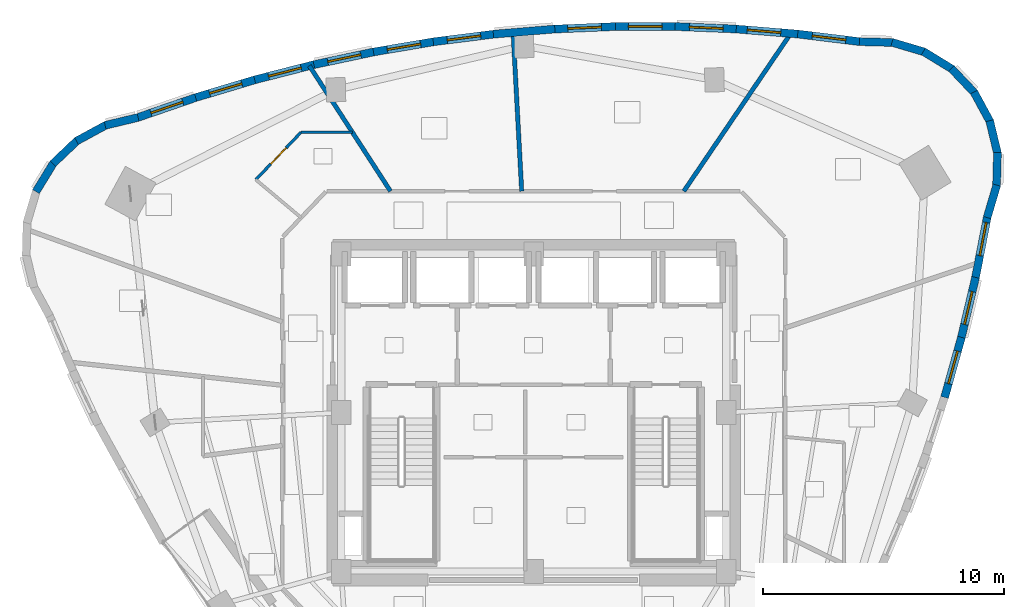
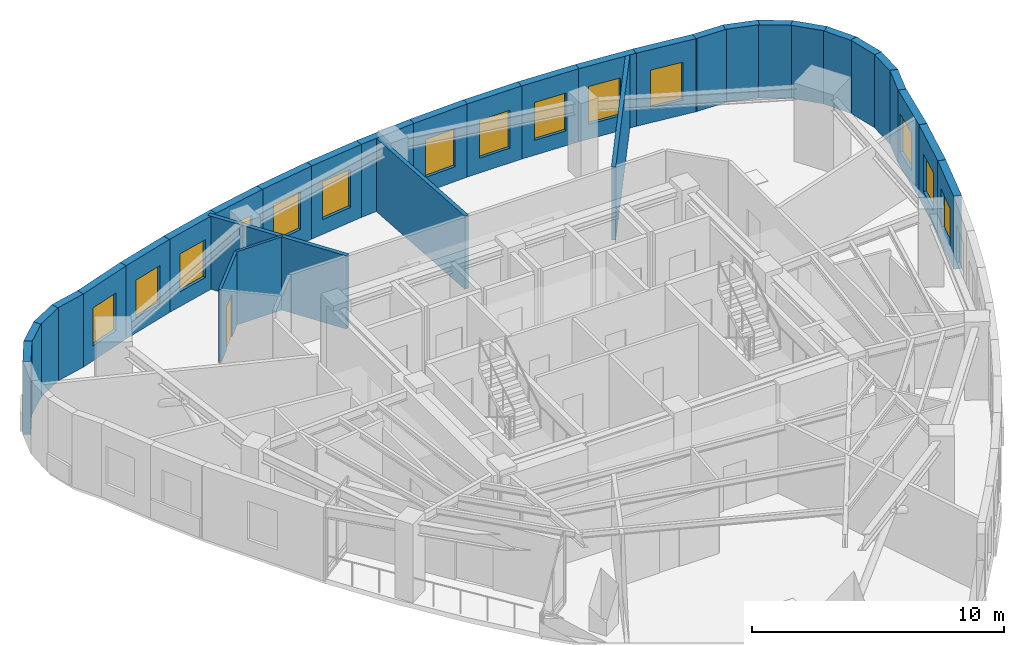
# One storey, part 9 of 13: 32 walls, 14 windows, 1 door, 15 openings.
"""IFC4 building model written with IfcOpenShell, lengths in metres."""

import ifcopenshell
import ifcopenshell.guid

model = None  # the IFC model being written
_history = None  # IfcOwnerHistory: only IFC2X3 demands one
_inside = {}  # id of a spatial element -> (the spatial element, [elements in it])
_under = {}  # id of a project, library or spatial element -> (it, [spatial elements below it])
_declared = {}  # id of a project -> (the project, [libraries it declares])
_typed = {}  # id of a type object -> (the type object, [elements of that type])
_made_of = {}  # id of a material, layer set ... -> (it, [elements and type objects made of it])


def new_model(schema):
    """Start an empty IFC model of exactly this schema.

    Asked for "IFC4X3", IfcOpenShell would pick the latest addendum, in which some entities
    have other attributes; the version numbers below select the first issue.
    IFC2X3 requires an IfcOwnerHistory on every rooted entity: one is made here for all.
    """
    global model, _history
    if schema == "IFC4X3":
        model = ifcopenshell.file(schema_version=(4, 3, 0, 0))
    else:
        model = ifcopenshell.file(schema=schema)
    _inside.clear()
    _under.clear()
    _declared.clear()
    _typed.clear()
    _made_of.clear()
    _history = None
    if model.schema == "IFC2X3":
        org = make("IfcOrganization", Name="unknown")
        user = make(
            "IfcPersonAndOrganization",
            ThePerson=make("IfcPerson", FamilyName="unknown"),
            TheOrganization=org,
        )
        app = make(
            "IfcApplication",
            ApplicationDeveloper=org,
            Version="unknown",
            ApplicationFullName="unknown",
            ApplicationIdentifier="unknown",
        )
        _history = make(
            "IfcOwnerHistory",
            OwningUser=user,
            OwningApplication=app,
            ChangeAction="ADDED",
            CreationDate=0,
        )
    return model


def make(cls, **values):
    """One entity of the class cls with the attributes given. An attribute that is None is left unset."""
    return model.create_entity(
        cls, **{name: value for name, value in values.items() if value is not None}
    )


def rooted(cls, **values):
    """An entity with a GlobalId (a new one), such as an element, a storey or a relation."""
    return make(cls, GlobalId=ifcopenshell.guid.new(), OwnerHistory=_history, **values)


def si_unit(unit_type, name, prefix=None):
    """IfcSIUnit, for example si_unit("LENGTHUNIT", "METRE", prefix="MILLI")."""
    return make("IfcSIUnit", UnitType=unit_type, Prefix=prefix, Name=name)


def assignment(units):
    """IfcUnitAssignment: the units of a project."""
    return None if units is None else make("IfcUnitAssignment", Units=units)


def point(xyz):
    """IfcCartesianPoint."""
    return None if xyz is None else make("IfcCartesianPoint", Coordinates=xyz)


def direction(xyz):
    """IfcDirection."""
    return None if xyz is None else make("IfcDirection", DirectionRatios=xyz)


def frame(location, z_axis=None, x_axis=None):
    """IfcAxis2Placement3D, a coordinate frame: its origin and axes. An axis left out is left unset."""
    return make(
        "IfcAxis2Placement3D",
        Location=point(location),
        Axis=direction(z_axis),
        RefDirection=direction(x_axis),
    )


def frame_2d(location, x_axis=None):
    """IfcAxis2Placement2D, a coordinate frame in the plane: its origin and x axis."""
    return make(
        "IfcAxis2Placement2D", Location=point(location), RefDirection=direction(x_axis)
    )


def origin():
    """The frame at (0, 0, 0) with its axes left unset."""
    return frame((0.0, 0.0, 0.0))


def place(relative_to, where):
    """IfcLocalPlacement: puts the frame where relative to a parent placement (None: the world)."""
    return make(
        "IfcLocalPlacement", PlacementRelTo=relative_to, RelativePlacement=where
    )


def context(
    kind, dimensions, precision=None, world=None, true_north=None, identifier=None
):
    """IfcGeometricRepresentationContext, for example the 3D "Model" context."""
    return make(
        "IfcGeometricRepresentationContext",
        ContextIdentifier=identifier,
        ContextType=kind,
        CoordinateSpaceDimension=dimensions,
        Precision=precision,
        WorldCoordinateSystem=world,
        TrueNorth=true_north,
    )


def subcontext(parent, identifier, kind, view, scale=None):
    """IfcGeometricRepresentationSubContext, for example "Body" below "Model"."""
    return make(
        "IfcGeometricRepresentationSubContext",
        ContextIdentifier=identifier,
        ContextType=kind,
        ParentContext=parent,
        TargetScale=scale,
        TargetView=view,
    )


def project(units=None, contexts=None):
    """IfcProject with its units and contexts."""
    return rooted(
        "IfcProject",
        Name="project",
        RepresentationContexts=contexts,
        UnitsInContext=assignment(units),
    )


def spatial(cls, under=None, at=None, **own):
    """A site, building, storey or space (cls), placed at a placement, below another one or the project."""
    s = rooted(cls, ObjectPlacement=at, **own)
    if under is not None:
        _under.setdefault(under.id(), (under, []))[1].append(s)
    return s


def profile(cls, at=None, kind="AREA", **sizes):
    """A parametric profile (cls). Its sizes go by their IFC names, for example OverallWidth=200.0."""
    return make(cls, ProfileType=kind, Position=at, **sizes)


def rectangle(**sizes):
    """IfcRectangleProfileDef."""
    return profile("IfcRectangleProfileDef", **sizes)


def extrude(swept, where, along, depth):
    """IfcExtrudedAreaSolid: the profile swept, set in the frame where, extruded along a direction by depth."""
    return make(
        "IfcExtrudedAreaSolid",
        SweptArea=swept,
        Position=where,
        ExtrudedDirection=direction(along),
        Depth=depth,
    )


def shape(context_of_items, identifier, shape_type, items):
    """IfcShapeRepresentation: the items that make up one representation, for example the "Body"."""
    return make(
        "IfcShapeRepresentation",
        ContextOfItems=context_of_items,
        RepresentationIdentifier=identifier,
        RepresentationType=shape_type,
        Items=items,
    )


def material(Name=None, Category=None):
    """IfcMaterial."""
    return make("IfcMaterial", Name=Name, Category=Category)


def layer(
    of_material, thickness, ventilated=None, Name=None, Category=None, Priority=None
):
    """IfcMaterialLayer: one layer of a wall or slab, of a material (None: an air gap)."""
    return make(
        "IfcMaterialLayer",
        Material=of_material,
        LayerThickness=thickness,
        IsVentilated=ventilated,
        Name=Name,
        Category=Category,
        Priority=Priority,
    )


def layer_set(layers, Name=None):
    """IfcMaterialLayerSet."""
    return make("IfcMaterialLayerSet", MaterialLayers=layers, LayerSetName=Name)


def made_of(thing, what):
    """Note that an element or type object is made of a material, layer set ...; save() writes the relation."""
    if what is not None:
        _made_of.setdefault(what.id(), (what, []))[1].append(thing)
    return thing


def type_object(cls, material=None, **own):
    """A type object (cls), such as IfcWallType, which elements share."""
    return made_of(rooted(cls, **own), material)


def element(
    cls,
    number,
    at=None,
    inside=None,
    cuts=None,
    type_object=None,
    material=None,
    context=None,
    identifier="Body",
    shape_type=None,
    held_by="IfcProductDefinitionShape",
    body=None,
    shapes=None,
    **own,
):
    """One element of the class cls, such as IfcWall. Its Tag is "e" and its number.

    at: its placement. inside: the storey or other place that contains it. cuts: it is an
    opening in that element (IfcRelVoidsElement). A single representation is given by context,
    identifier, shape_type and body (its items); several are given by shapes. held_by: the class
    of the entity that holds the representations. save() writes the other relations.
    """
    e = rooted(cls, Tag="e%d" % number, ObjectPlacement=at, **own)
    if body is not None:
        shapes = [shape(context, identifier, shape_type, body)]
    if shapes is not None:
        e.Representation = make(held_by, Representations=shapes)
    if inside is not None:
        _inside.setdefault(inside.id(), (inside, []))[1].append(e)
    if cuts is not None:
        rooted(
            "IfcRelVoidsElement", RelatingBuildingElement=cuts, RelatedOpeningElement=e
        )
    if type_object is not None:
        _typed.setdefault(type_object.id(), (type_object, []))[1].append(e)
    return made_of(e, material)


def fill(opening, filler):
    """IfcRelFillsElement: the door or window that sits in an opening."""
    return rooted(
        "IfcRelFillsElement",
        RelatingOpeningElement=opening,
        RelatedBuildingElement=filler,
    )


def aggregate(whole, parts):
    """IfcRelAggregates: a whole, such as a stair, and the parts it consists of."""
    return rooted("IfcRelAggregates", RelatingObject=whole, RelatedObjects=parts)


def save(model, path):
    """Write the relations noted so far, then the file.

    IfcRelAggregates (storeys below a building ...), IfcRelContainedInSpatialStructure (elements
    in a storey), IfcRelDefinesByType, IfcRelAssociatesMaterial and IfcRelDeclares: one each for
    every whole, place, type object, material and project.
    """
    for whole, parts in _under.values():
        aggregate(whole, parts)
    for where, things in _inside.values():
        rooted(
            "IfcRelContainedInSpatialStructure",
            RelatedElements=things,
            RelatingStructure=where,
        )
    for kind, things in _typed.values():
        rooted("IfcRelDefinesByType", RelatedObjects=things, RelatingType=kind)
    for what, things in _made_of.values():
        rooted("IfcRelAssociatesMaterial", RelatedObjects=things, RelatingMaterial=what)
    for by, libraries in _declared.values():
        rooted("IfcRelDeclares", RelatingContext=by, RelatedDefinitions=libraries)
    model.write(path)


model = new_model("IFC4")

# Units and contexts
model_context = context("Model", 3, precision=1e-05, world=origin(), true_north=direction((0.0, 1.0)))
body_context = subcontext(model_context, "Body", "Model", "MODEL_VIEW")
ifc_project = project(units=[si_unit("LENGTHUNIT", "METRE"), si_unit("AREAUNIT", "SQUARE_METRE"), si_unit("VOLUMEUNIT", "CUBIC_METRE"), si_unit("PLANEANGLEUNIT", "RADIAN"), si_unit("MASSUNIT", "GRAM", prefix="KILO")], contexts=[model_context])

# Site, building, storey
site_placement = place(None, origin())
site = spatial("IfcSite", under=ifc_project, at=site_placement, CompositionType="ELEMENT")
building_placement = place(site_placement, origin())
building = spatial("IfcBuilding", under=site, at=building_placement, Name="Ndelora Gate Hotel", CompositionType="ELEMENT")
storey_placement = place(building_placement, frame((0.0, 0.0, 235.949951171875)))
storey = spatial("IfcBuildingStorey", under=building, at=storey_placement, Name="L59", CompositionType="ELEMENT", Elevation=235.949951171875)

# Walls
ifc_material_1 = material(Name="Acoustic Double-Stud Gypsum Assembly", Category="gypsum")
ifc_layer_1 = layer(ifc_material_1, 0.179931640625)
ifc_layer_set_1 = layer_set([ifc_layer_1], Name="Acoustic Double-Stud Gypsum Assembly")
wall_type_1 = type_object("IfcWallType", Name="WL-ACOUST-180", PredefinedType="PARTITIONING", material=ifc_layer_set_1)
wall_1_placement = place(storey_placement, frame((6.23779296875, 9.199951171875, 0.0), z_axis=(0.0, 0.0, 1.0), x_axis=(0.561184790161, 0.827690540777, 0.0)))
element("IfcWall", 1, at=wall_1_placement, inside=storey, type_object=wall_type_1, Name="L59 Interior Wall IW-3", PredefinedType="PARTITIONING", context=body_context, shape_type="SweptSolid", body=[
    extrude(rectangle(XDim=7.92041015625, YDim=0.179931640625, at=frame_2d((3.960205078125, 0.0))), origin(), (0.0, 0.0, 1.0), 3.550048828125),
])
wall_2_placement = place(storey_placement, frame((-0.498779296875, 9.199951171875, 0.0), z_axis=(0.0, 0.0, 1.0), x_axis=(-0.054120704993, 0.998534400655, 0.0)))
element("IfcWall", 2, at=wall_2_placement, inside=storey, type_object=wall_type_1, Name="L59 Interior Wall IW-3", PredefinedType="PARTITIONING", context=body_context, shape_type="SweptSolid", body=[
    extrude(rectangle(XDim=6.604248046875, YDim=0.179931640625, at=frame_2d((3.30224609375, 0.0))), origin(), (0.0, 0.0, 1.0), 3.550048828125),
])
wall_3_placement = place(storey_placement, frame((-5.950927734375, 9.199951171875, 0.0), z_axis=(0.0, 0.0, 1.0), x_axis=(-0.543119167899, 0.839655625516, 0.0)))
element("IfcWall", 3, at=wall_3_placement, inside=storey, type_object=wall_type_1, Name="L59 Interior Wall IW-3", PredefinedType="PARTITIONING", context=body_context, shape_type="SweptSolid", body=[
    extrude(rectangle(XDim=6.20703125, YDim=0.179931640625, at=frame_2d((3.103515625, 0.0))), origin(), (0.0, 0.0, 1.0), 3.550048828125),
])
ifc_material_2 = material(Name="Clay Brick Masonry", Category="masonry")
ifc_layer_2 = layer(ifc_material_2, 0.330078125)
ifc_layer_set_2 = layer_set([ifc_layer_2], Name="Clay Brick Masonry")
wall_type_2 = type_object("IfcWallType", Name="WL-BRICK-330", PredefinedType="SOLIDWALL", material=ifc_layer_set_2)
wall_4_placement = place(storey_placement, frame((-17.809326171875, 11.9375, 0.0), z_axis=(0.0, 0.0, 1.0), x_axis=(0.972355799013, 0.23350417582, 0.0)))
element("IfcWall", 4, at=wall_4_placement, inside=storey, type_object=wall_type_2, Name="L59 Tower Brick Pier-and-Spandrel Wall TWR-1", PredefinedType="SOLIDWALL", context=body_context, shape_type="SweptSolid", body=[
    extrude(rectangle(XDim=1.4072265625, YDim=0.330078125, at=frame_2d((0.70361328125, 0.0))), origin(), (0.0, 0.0, 1.0), 3.550048828125),
])
wall_5_placement = place(storey_placement, frame((-19.0, 11.28369140625, 0.0), z_axis=(0.0, 0.0, 1.0), x_axis=(0.8789012206, 0.47700382014, 0.0)))
element("IfcWall", 5, at=wall_5_placement, inside=storey, type_object=wall_type_2, Name="L59 Tower Brick Pier-and-Spandrel Wall TWR-2", PredefinedType="SOLIDWALL", context=body_context, shape_type="SweptSolid", body=[
    extrude(rectangle(XDim=1.407470703125, YDim=0.330078125, at=frame_2d((0.70361328125, 0.0))), origin(), (0.0, 0.0, 1.0), 3.550048828125),
])
for number, where, z_axis, x_axis, name in (
    (6, (-19.980712890625, 10.343994140625, 0.0), (0.0, 0.0, 1.0), (0.725341527104, 0.688389184298, 0.0), "L59 Tower Brick Pier-and-Spandrel Wall TWR-3"),
    (7, (-20.68505859375, 9.1826171875, 0.0), (0.0, 0.0, 1.0), (0.522509174355, 0.852633662668, 0.0), "L59 Tower Brick Pier-and-Spandrel Wall TWR-4"),
):
    element("IfcWall", number, at=place(storey_placement, frame(where, z_axis=z_axis, x_axis=x_axis)), inside=storey, type_object=wall_type_2, Name=name, PredefinedType="SOLIDWALL", context=body_context, shape_type="SweptSolid", body=[
        extrude(rectangle(XDim=1.4072265625, YDim=0.330078125, at=frame_2d((0.70361328125, 0.0))), origin(), (0.0, 0.0, 1.0), 3.550048828125),
    ])

# Wall, opening, window
wall_6_placement = place(storey_placement, frame((17.77490234375, 3.127685546875, 0.0), z_axis=(0.0, 0.0, 1.0), x_axis=(-0.26969279574, -0.962946413839, 0.0)))
wall_6 = element("IfcWall", 8, at=wall_6_placement, inside=storey, type_object=wall_type_2, Name="L59 Tower Brick Pier-and-Spandrel Wall TWR-36", PredefinedType="SOLIDWALL", context=body_context, shape_type="SweptSolid", body=[
    extrude(rectangle(XDim=2.592529296875, YDim=0.330078125, at=frame_2d((1.29638671875, 0.0))), origin(), (0.0, 0.0, 1.0), 3.550048828125),
])
opening_1_placement = place(wall_6_placement, frame((0.59619140625, 0.0, 0.719970703125)))
opening_1 = element("IfcOpeningElement", 9, at=opening_1_placement, cuts=wall_6, Name="Opening W02", PredefinedType="OPENING", context=body_context, shape_type="SweptSolid", body=[
    extrude(rectangle(XDim=1.39990234375, YDim=1.840087890625, at=frame_2d((0.699951171875, 0.919921875))), frame((0.0, 0.175048828125, 0.0), z_axis=(0.0, -1.0, 0.0), x_axis=(1.0, 0.0, 0.0)), (0.0, 0.0, 1.0), 0.35009765625),
])
ifc_material_3 = material(Name="Insulated Low-E Double Glazing in Bronze Aluminium Frame", Category="aluminium")
window_type = type_object("IfcWindowType", Name="WN-DEEP-1400", PartitioningType="SINGLE_PANEL", PredefinedType="WINDOW", material=ifc_material_3)
window_1_placement = place(opening_1_placement, origin())
window_1 = element("IfcWindow", 10, at=window_1_placement, inside=storey, type_object=window_type, Name="L59 Deep-Set Brick-Pier Window W02", OverallHeight=1.840087890625, OverallWidth=1.39990234375, PartitioningType="SINGLE_PANEL", PredefinedType="WINDOW", context=body_context, shape_type="SweptSolid", body=[
    extrude(rectangle(XDim=1.39990234375, YDim=1.840087890625, at=frame_2d((0.699951171875, 0.919921875))), frame((0.0, 0.030029296875, 0.0), z_axis=(0.0, -1.0, 0.0), x_axis=(1.0, 0.0, 0.0)), (0.0, 0.0, 1.0), 0.06005859375),
])
fill(opening_1, window_1)

wall_7_placement = place(storey_placement, frame((18.36328125, 5.619140625, 0.0), z_axis=(0.0, 0.0, 1.0), x_axis=(-0.230212303812, -0.973140429318, 0.0)))
wall_7 = element("IfcWall", 11, at=wall_7_placement, inside=storey, type_object=wall_type_2, Name="L59 Tower Brick Pier-and-Spandrel Wall TWR-37", PredefinedType="SOLIDWALL", context=body_context, shape_type="SweptSolid", body=[
    extrude(rectangle(XDim=2.60986328125, YDim=0.330078125, at=frame_2d((1.304931640625, 0.0))), origin(), (0.0, 0.0, 1.0), 3.550048828125),
])
opening_2_placement = place(wall_7_placement, frame((0.60498046875, 0.0, 0.719970703125)))
opening_2 = element("IfcOpeningElement", 12, at=opening_2_placement, cuts=wall_7, Name="Opening W02", PredefinedType="OPENING", context=body_context, shape_type="SweptSolid", body=[
    extrude(rectangle(XDim=1.39990234375, YDim=1.840087890625, at=frame_2d((0.699951171875, 0.919921875))), frame((0.0, 0.175048828125, 0.0), z_axis=(0.0, -1.0, 0.0), x_axis=(1.0, 0.0, 0.0)), (0.0, 0.0, 1.0), 0.35009765625),
])
window_2_placement = place(opening_2_placement, origin())
window_2 = element("IfcWindow", 13, at=window_2_placement, inside=storey, type_object=window_type, Name="L59 Deep-Set Brick-Pier Window W02", OverallHeight=1.840087890625, OverallWidth=1.39990234375, PartitioningType="SINGLE_PANEL", PredefinedType="WINDOW", context=body_context, shape_type="SweptSolid", body=[
    extrude(rectangle(XDim=1.39990234375, YDim=1.840087890625, at=frame_2d((0.699951171875, 0.919921875))), frame((0.0, 0.030029296875, 0.0), z_axis=(0.0, -1.0, 0.0), x_axis=(1.0, 0.0, 0.0)), (0.0, 0.0, 1.0), 0.06005859375),
])
fill(opening_2, window_2)

wall_8_placement = place(storey_placement, frame((18.85498046875, 8.153564453125, 0.0), z_axis=(0.0, 0.0, 1.0), x_axis=(-0.190921803472, -0.981605249048, 0.0)))
wall_8 = element("IfcWall", 14, at=wall_8_placement, inside=storey, type_object=wall_type_2, Name="L59 Tower Brick Pier-and-Spandrel Wall TWR-38", PredefinedType="SOLIDWALL", context=body_context, shape_type="SweptSolid", body=[
    extrude(rectangle(XDim=2.631591796875, YDim=0.330078125, at=frame_2d((1.31591796875, 0.0))), origin(), (0.0, 0.0, 1.0), 3.550048828125),
])
opening_3_placement = place(wall_8_placement, frame((0.260009765625, 0.0, 0.719970703125)))
opening_3 = element("IfcOpeningElement", 15, at=opening_3_placement, cuts=wall_8, Name="Opening W02", PredefinedType="OPENING", context=body_context, shape_type="SweptSolid", body=[
    extrude(rectangle(XDim=1.39990234375, YDim=1.840087890625, at=frame_2d((0.699951171875, 0.919921875))), frame((0.0, 0.175048828125, 0.0), z_axis=(0.0, -1.0, 0.0), x_axis=(1.0, 0.0, 0.0)), (0.0, 0.0, 1.0), 0.35009765625),
])
window_3_placement = place(opening_3_placement, origin())
window_3 = element("IfcWindow", 16, at=window_3_placement, inside=storey, type_object=window_type, Name="L59 Deep-Set Brick-Pier Window W02", OverallHeight=1.840087890625, OverallWidth=1.39990234375, PartitioningType="SINGLE_PANEL", PredefinedType="WINDOW", context=body_context, shape_type="SweptSolid", body=[
    extrude(rectangle(XDim=1.39990234375, YDim=1.840087890625, at=frame_2d((0.699951171875, 0.919921875))), frame((0.0, 0.030029296875, 0.0), z_axis=(0.0, -1.0, 0.0), x_axis=(1.0, 0.0, 0.0)), (0.0, 0.0, 1.0), 0.06005859375),
])
fill(opening_3, window_3)

# Walls
wall_9_placement = place(storey_placement, frame((19.242919921875, 9.45458984375, 0.0), z_axis=(0.0, 0.0, 1.0), x_axis=(-0.284100140437, -0.958794613149, 0.0)))
element("IfcWall", 17, at=wall_9_placement, inside=storey, type_object=wall_type_2, Name="L59 Tower Brick Pier-and-Spandrel Wall TWR-39", PredefinedType="SOLIDWALL", context=body_context, shape_type="SweptSolid", body=[
    extrude(rectangle(XDim=1.40771484375, YDim=0.330078125, at=frame_2d((0.703857421875, 0.0))), origin(), (0.0, 0.0, 1.0), 3.550048828125),
])
for number, where, z_axis, x_axis, name in (
    (18, (19.27197265625, 10.8125, 0.0), (0.0, 0.0, 1.0), (-0.02619264168, -0.999656913907, 0.0), "L59 Tower Brick Pier-and-Spandrel Wall TWR-40"),
    (19, (18.948486328125, 12.1318359375, 0.0), (0.0, 0.0, 1.0), (0.233464793771, -0.972365255482, 0.0), "L59 Tower Brick Pier-and-Spandrel Wall TWR-41"),
):
    element("IfcWall", number, at=place(storey_placement, frame(where, z_axis=z_axis, x_axis=x_axis)), inside=storey, type_object=wall_type_2, Name=name, PredefinedType="SOLIDWALL", context=body_context, shape_type="SweptSolid", body=[
        extrude(rectangle(XDim=1.407470703125, YDim=0.330078125, at=frame_2d((0.70361328125, 0.0))), origin(), (0.0, 0.0, 1.0), 3.550048828125),
    ])
wall_10_placement = place(storey_placement, frame((18.294921875, 13.322509765625, 0.0), z_axis=(0.0, 0.0, 1.0), x_axis=(0.477076549129, -0.878861744685, 0.0)))
element("IfcWall", 20, at=wall_10_placement, inside=storey, type_object=wall_type_2, Name="L59 Tower Brick Pier-and-Spandrel Wall TWR-42", PredefinedType="SOLIDWALL", context=body_context, shape_type="SweptSolid", body=[
    extrude(rectangle(XDim=1.4072265625, YDim=0.330078125, at=frame_2d((0.70361328125, 0.0))), origin(), (0.0, 0.0, 1.0), 3.550048828125),
])
wall_11_placement = place(storey_placement, frame((17.35498046875, 14.30322265625, 0.0), z_axis=(0.0, 0.0, 1.0), x_axis=(0.688480442028, -0.725254907563, 0.0)))
element("IfcWall", 21, at=wall_11_placement, inside=storey, type_object=wall_type_2, Name="L59 Tower Brick Pier-and-Spandrel Wall TWR-43", PredefinedType="SOLIDWALL", context=body_context, shape_type="SweptSolid", body=[
    extrude(rectangle(XDim=1.407470703125, YDim=0.330078125, at=frame_2d((0.70361328125, 0.0))), origin(), (0.0, 0.0, 1.0), 3.550048828125),
])
wall_12_placement = place(storey_placement, frame((16.193603515625, 15.007568359375, 0.0), z_axis=(0.0, 0.0, 1.0), x_axis=(0.852633662668, -0.522509174355, 0.0)))
element("IfcWall", 22, at=wall_12_placement, inside=storey, type_object=wall_type_2, Name="L59 Tower Brick Pier-and-Spandrel Wall TWR-44", PredefinedType="SOLIDWALL", context=body_context, shape_type="SweptSolid", body=[
    extrude(rectangle(XDim=1.4072265625, YDim=0.330078125, at=frame_2d((0.70361328125, 0.0))), origin(), (0.0, 0.0, 1.0), 3.550048828125),
])
wall_13_placement = place(storey_placement, frame((14.88916015625, 15.38720703125, 0.0), z_axis=(0.0, 0.0, 1.0), x_axis=(0.958794613149, -0.284100140437, 0.0)))
element("IfcWall", 23, at=wall_13_placement, inside=storey, type_object=wall_type_2, Name="L59 Tower Brick Pier-and-Spandrel Wall TWR-45", PredefinedType="SOLIDWALL", context=body_context, shape_type="SweptSolid", body=[
    extrude(rectangle(XDim=1.40771484375, YDim=0.330078125, at=frame_2d((0.703857421875, 0.0))), origin(), (0.0, 0.0, 1.0), 3.550048828125),
])
wall_14_placement = place(storey_placement, frame((13.53125, 15.416259765625, 0.0), z_axis=(0.0, 0.0, 1.0), x_axis=(0.999656913907, -0.02619264168, 0.0)))
element("IfcWall", 24, at=wall_14_placement, inside=storey, type_object=wall_type_2, Name="L59 Tower Brick Pier-and-Spandrel Wall TWR-46", PredefinedType="SOLIDWALL", context=body_context, shape_type="SweptSolid", body=[
    extrude(rectangle(XDim=1.407470703125, YDim=0.330078125, at=frame_2d((0.70361328125, 0.0))), origin(), (0.0, 0.0, 1.0), 3.550048828125),
])

# Wall, opening, window
wall_15_placement = place(storey_placement, frame((10.968994140625, 15.73291015625, 0.0), z_axis=(0.0, 0.0, 1.0), x_axis=(0.99256490285, -0.121716529819, 0.0)))
wall_15 = element("IfcWall", 25, at=wall_15_placement, inside=storey, type_object=wall_type_2, Name="L59 Tower Brick Pier-and-Spandrel Wall TWR-47", PredefinedType="SOLIDWALL", context=body_context, shape_type="SweptSolid", body=[
    extrude(rectangle(XDim=2.631591796875, YDim=0.330078125, at=frame_2d((1.31591796875, 0.0))), origin(), (0.0, 0.0, 1.0), 3.550048828125),
])
opening_4_placement = place(wall_15_placement, frame((0.61572265625, 0.0, 0.719970703125)))
opening_4 = element("IfcOpeningElement", 26, at=opening_4_placement, cuts=wall_15, Name="Opening W02", PredefinedType="OPENING", context=body_context, shape_type="SweptSolid", body=[
    extrude(rectangle(XDim=1.39990234375, YDim=1.840087890625, at=frame_2d((0.699951171875, 0.919921875))), frame((0.0, 0.175048828125, 0.0), z_axis=(0.0, -1.0, 0.0), x_axis=(1.0, 0.0, 0.0)), (0.0, 0.0, 1.0), 0.35009765625),
])
window_4_placement = place(opening_4_placement, origin())
window_4 = element("IfcWindow", 27, at=window_4_placement, inside=storey, type_object=window_type, Name="L59 Deep-Set Brick-Pier Window W02", OverallHeight=1.840087890625, OverallWidth=1.39990234375, PartitioningType="SINGLE_PANEL", PredefinedType="WINDOW", context=body_context, shape_type="SweptSolid", body=[
    extrude(rectangle(XDim=1.39990234375, YDim=1.840087890625, at=frame_2d((0.699951171875, 0.919921875))), frame((0.0, 0.030029296875, 0.0), z_axis=(0.0, -1.0, 0.0), x_axis=(1.0, 0.0, 0.0)), (0.0, 0.0, 1.0), 0.06005859375),
])
fill(opening_4, window_4)

wall_16_placement = place(storey_placement, frame((8.41748046875, 15.94140625, 0.0), z_axis=(0.0, 0.0, 1.0), x_axis=(0.996652650266, -0.081752643485, 0.0)))
wall_16 = element("IfcWall", 28, at=wall_16_placement, inside=storey, type_object=wall_type_2, Name="L59 Tower Brick Pier-and-Spandrel Wall TWR-48", PredefinedType="SOLIDWALL", context=body_context, shape_type="SweptSolid", body=[
    extrude(rectangle(XDim=2.610107421875, YDim=0.330078125, at=frame_2d((1.30517578125, 0.0))), origin(), (0.0, 0.0, 1.0), 3.550048828125),
])
opening_5_placement = place(wall_16_placement, frame((0.4599609375, 0.0, 0.719970703125)))
opening_5 = element("IfcOpeningElement", 29, at=opening_5_placement, cuts=wall_16, Name="Opening W02", PredefinedType="OPENING", context=body_context, shape_type="SweptSolid", body=[
    extrude(rectangle(XDim=1.39990234375, YDim=1.840087890625, at=frame_2d((0.699951171875, 0.919921875))), frame((0.0, 0.175048828125, 0.0), z_axis=(0.0, -1.0, 0.0), x_axis=(1.0, 0.0, 0.0)), (0.0, 0.0, 1.0), 0.35009765625),
])
window_5_placement = place(opening_5_placement, origin())
window_5 = element("IfcWindow", 30, at=window_5_placement, inside=storey, type_object=window_type, Name="L59 Deep-Set Brick-Pier Window W02", OverallHeight=1.840087890625, OverallWidth=1.39990234375, PartitioningType="SINGLE_PANEL", PredefinedType="WINDOW", context=body_context, shape_type="SweptSolid", body=[
    extrude(rectangle(XDim=1.39990234375, YDim=1.840087890625, at=frame_2d((0.699951171875, 0.919921875))), frame((0.0, 0.030029296875, 0.0), z_axis=(0.0, -1.0, 0.0), x_axis=(1.0, 0.0, 0.0)), (0.0, 0.0, 1.0), 0.06005859375),
])
fill(opening_5, window_5)

wall_17_placement = place(storey_placement, frame((5.876953125, 16.044921875, 0.0), z_axis=(0.0, 0.0, 1.0), x_axis=(0.999156737848, -0.041058655768, 0.0)))
wall_17 = element("IfcWall", 31, at=wall_17_placement, inside=storey, type_object=wall_type_2, Name="L59 Tower Brick Pier-and-Spandrel Wall TWR-49", PredefinedType="SOLIDWALL", context=body_context, shape_type="SweptSolid", body=[
    extrude(rectangle(XDim=2.592529296875, YDim=0.330078125, at=frame_2d((1.29638671875, 0.0))), origin(), (0.0, 0.0, 1.0), 3.550048828125),
])
opening_6_placement = place(wall_17_placement, frame((0.59619140625, 0.0, 0.719970703125)))
opening_6 = element("IfcOpeningElement", 32, at=opening_6_placement, cuts=wall_17, Name="Opening W02", PredefinedType="OPENING", context=body_context, shape_type="SweptSolid", body=[
    extrude(rectangle(XDim=1.39990234375, YDim=1.840087890625, at=frame_2d((0.699951171875, 0.919921875))), frame((0.0, 0.175048828125, 0.0), z_axis=(0.0, -1.0, 0.0), x_axis=(1.0, 0.0, 0.0)), (0.0, 0.0, 1.0), 0.35009765625),
])
window_6_placement = place(opening_6_placement, origin())
window_6 = element("IfcWindow", 33, at=window_6_placement, inside=storey, type_object=window_type, Name="L59 Deep-Set Brick-Pier Window W02", OverallHeight=1.840087890625, OverallWidth=1.39990234375, PartitioningType="SINGLE_PANEL", PredefinedType="WINDOW", context=body_context, shape_type="SweptSolid", body=[
    extrude(rectangle(XDim=1.39990234375, YDim=1.840087890625, at=frame_2d((0.699951171875, 0.919921875))), frame((0.0, 0.030029296875, 0.0), z_axis=(0.0, -1.0, 0.0), x_axis=(1.0, 0.0, 0.0)), (0.0, 0.0, 1.0), 0.06005859375),
])
fill(opening_6, window_6)

wall_18_placement = place(storey_placement, frame((3.34765625, 16.04345703125, 0.0), z_axis=(0.0, 0.0, 1.0), x_axis=(0.999999982082, 0.000189304303, 0.0)))
wall_18 = element("IfcWall", 34, at=wall_18_placement, inside=storey, type_object=wall_type_2, Name="L59 Tower Brick Pier-and-Spandrel Wall TWR-50", PredefinedType="SOLIDWALL", context=body_context, shape_type="SweptSolid", body=[
    extrude(rectangle(XDim=2.579345703125, YDim=0.330078125, at=frame_2d((1.28955078125, 0.0))), origin(), (0.0, 0.0, 1.0), 3.550048828125),
])
opening_7_placement = place(wall_18_placement, frame((0.589599609375, 0.0, 0.719970703125)))
opening_7 = element("IfcOpeningElement", 35, at=opening_7_placement, cuts=wall_18, Name="Opening W02", PredefinedType="OPENING", context=body_context, shape_type="SweptSolid", body=[
    extrude(rectangle(XDim=1.39990234375, YDim=1.840087890625, at=frame_2d((0.699951171875, 0.919921875))), frame((0.0, 0.175048828125, 0.0), z_axis=(0.0, -1.0, 0.0), x_axis=(1.0, 0.0, 0.0)), (0.0, 0.0, 1.0), 0.35009765625),
])
window_7_placement = place(opening_7_placement, origin())
window_7 = element("IfcWindow", 36, at=window_7_placement, inside=storey, type_object=window_type, Name="L59 Deep-Set Brick-Pier Window W02", OverallHeight=1.840087890625, OverallWidth=1.39990234375, PartitioningType="SINGLE_PANEL", PredefinedType="WINDOW", context=body_context, shape_type="SweptSolid", body=[
    extrude(rectangle(XDim=1.39990234375, YDim=1.840087890625, at=frame_2d((0.699951171875, 0.919921875))), frame((0.0, 0.030029296875, 0.0), z_axis=(0.0, -1.0, 0.0), x_axis=(1.0, 0.0, 0.0)), (0.0, 0.0, 1.0), 0.06005859375),
])
fill(opening_7, window_7)

wall_19_placement = place(storey_placement, frame((0.829345703125, 15.93701171875, 0.0), z_axis=(0.0, 0.0, 1.0), x_axis=(0.999126476611, 0.041788559858, 0.0)))
wall_19 = element("IfcWall", 37, at=wall_19_placement, inside=storey, type_object=wall_type_2, Name="L59 Tower Brick Pier-and-Spandrel Wall TWR-51", PredefinedType="SOLIDWALL", context=body_context, shape_type="SweptSolid", body=[
    extrude(rectangle(XDim=2.570556640625, YDim=0.330078125, at=frame_2d((1.28515625, 0.0))), origin(), (0.0, 0.0, 1.0), 3.550048828125),
])
opening_8_placement = place(wall_19_placement, frame((0.585205078125, 0.0, 0.719970703125)))
opening_8 = element("IfcOpeningElement", 38, at=opening_8_placement, cuts=wall_19, Name="Opening W02", PredefinedType="OPENING", context=body_context, shape_type="SweptSolid", body=[
    extrude(rectangle(XDim=1.39990234375, YDim=1.840087890625, at=frame_2d((0.699951171875, 0.919921875))), frame((0.0, 0.175048828125, 0.0), z_axis=(0.0, -1.0, 0.0), x_axis=(1.0, 0.0, 0.0)), (0.0, 0.0, 1.0), 0.35009765625),
])
window_8_placement = place(opening_8_placement, origin())
window_8 = element("IfcWindow", 39, at=window_8_placement, inside=storey, type_object=window_type, Name="L59 Deep-Set Brick-Pier Window W02", OverallHeight=1.840087890625, OverallWidth=1.39990234375, PartitioningType="SINGLE_PANEL", PredefinedType="WINDOW", context=body_context, shape_type="SweptSolid", body=[
    extrude(rectangle(XDim=1.39990234375, YDim=1.840087890625, at=frame_2d((0.699951171875, 0.919921875))), frame((0.0, 0.030029296875, 0.0), z_axis=(0.0, -1.0, 0.0), x_axis=(1.0, 0.0, 0.0)), (0.0, 0.0, 1.0), 0.06005859375),
])
fill(opening_8, window_8)

# Wall
wall_20_placement = place(storey_placement, frame((-1.677978515625, 15.725341796875, 0.0), z_axis=(0.0, 0.0, 1.0), x_axis=(0.996489100747, 0.083722590095, 0.0)))
element("IfcWall", 40, at=wall_20_placement, inside=storey, type_object=wall_type_2, Name="L59 Tower Brick Pier-and-Spandrel Wall TWR-52", PredefinedType="SOLIDWALL", context=body_context, shape_type="SweptSolid", body=[
    extrude(rectangle(XDim=2.566162109375, YDim=0.330078125, at=frame_2d((1.283203125, 0.0))), origin(), (0.0, 0.0, 1.0), 3.550048828125),
])

# Wall, opening, window
wall_21_placement = place(storey_placement, frame((-4.174072265625, 15.408935546875, 0.0), z_axis=(0.0, 0.0, 1.0), x_axis=(0.992107160936, 0.125392907376, 0.0)))
wall_21 = element("IfcWall", 41, at=wall_21_placement, inside=storey, type_object=wall_type_2, Name="L59 Tower Brick Pier-and-Spandrel Wall TWR-53", PredefinedType="SOLIDWALL", context=body_context, shape_type="SweptSolid", body=[
    extrude(rectangle(XDim=2.566162109375, YDim=0.330078125, at=frame_2d((1.283203125, 0.0))), origin(), (0.0, 0.0, 1.0), 3.550048828125),
])
opening_9_placement = place(wall_21_placement, frame((0.5830078125, 0.0, 0.719970703125)))
opening_9 = element("IfcOpeningElement", 42, at=opening_9_placement, cuts=wall_21, Name="Opening W02", PredefinedType="OPENING", context=body_context, shape_type="SweptSolid", body=[
    extrude(rectangle(XDim=1.39990234375, YDim=1.840087890625, at=frame_2d((0.699951171875, 0.919921875))), frame((0.0, 0.175048828125, 0.0), z_axis=(0.0, -1.0, 0.0), x_axis=(1.0, 0.0, 0.0)), (0.0, 0.0, 1.0), 0.35009765625),
])
window_9_placement = place(opening_9_placement, origin())
window_9 = element("IfcWindow", 43, at=window_9_placement, inside=storey, type_object=window_type, Name="L59 Deep-Set Brick-Pier Window W02", OverallHeight=1.840087890625, OverallWidth=1.39990234375, PartitioningType="SINGLE_PANEL", PredefinedType="WINDOW", context=body_context, shape_type="SweptSolid", body=[
    extrude(rectangle(XDim=1.39990234375, YDim=1.840087890625, at=frame_2d((0.699951171875, 0.919921875))), frame((0.0, 0.030029296875, 0.0), z_axis=(0.0, -1.0, 0.0), x_axis=(1.0, 0.0, 0.0)), (0.0, 0.0, 1.0), 0.06005859375),
])
fill(opening_9, window_9)

wall_22_placement = place(storey_placement, frame((-6.6591796875, 14.987548828125, 0.0), z_axis=(0.0, 0.0, 1.0), x_axis=(0.985993143287, 0.16678585489, 0.0)))
wall_22 = element("IfcWall", 44, at=wall_22_placement, inside=storey, type_object=wall_type_2, Name="L59 Tower Brick Pier-and-Spandrel Wall TWR-54", PredefinedType="SOLIDWALL", context=body_context, shape_type="SweptSolid", body=[
    extrude(rectangle(XDim=2.5703125, YDim=0.330078125, at=frame_2d((1.28515625, 0.0))), origin(), (0.0, 0.0, 1.0), 3.550048828125),
])
opening_10_placement = place(wall_22_placement, frame((0.585205078125, 0.0, 0.719970703125)))
opening_10 = element("IfcOpeningElement", 45, at=opening_10_placement, cuts=wall_22, Name="Opening W02", PredefinedType="OPENING", context=body_context, shape_type="SweptSolid", body=[
    extrude(rectangle(XDim=1.39990234375, YDim=1.840087890625, at=frame_2d((0.699951171875, 0.919921875))), frame((0.0, 0.175048828125, 0.0), z_axis=(0.0, -1.0, 0.0), x_axis=(1.0, 0.0, 0.0)), (0.0, 0.0, 1.0), 0.35009765625),
])
window_10_placement = place(opening_10_placement, origin())
window_10 = element("IfcWindow", 46, at=window_10_placement, inside=storey, type_object=window_type, Name="L59 Deep-Set Brick-Pier Window W02", OverallHeight=1.840087890625, OverallWidth=1.39990234375, PartitioningType="SINGLE_PANEL", PredefinedType="WINDOW", context=body_context, shape_type="SweptSolid", body=[
    extrude(rectangle(XDim=1.39990234375, YDim=1.840087890625, at=frame_2d((0.699951171875, 0.919921875))), frame((0.0, 0.030029296875, 0.0), z_axis=(0.0, -1.0, 0.0), x_axis=(1.0, 0.0, 0.0)), (0.0, 0.0, 1.0), 0.06005859375),
])
fill(opening_10, window_10)

wall_23_placement = place(storey_placement, frame((-9.13330078125, 14.461181640625, 0.0), z_axis=(0.0, 0.0, 1.0), x_axis=(0.978200927103, 0.207660651579, 0.0)))
wall_23 = element("IfcWall", 47, at=wall_23_placement, inside=storey, type_object=wall_type_2, Name="L59 Tower Brick Pier-and-Spandrel Wall TWR-55", PredefinedType="SOLIDWALL", context=body_context, shape_type="SweptSolid", body=[
    extrude(rectangle(XDim=2.579345703125, YDim=0.330078125, at=frame_2d((1.28955078125, 0.0))), origin(), (0.0, 0.0, 1.0), 3.550048828125),
])
opening_11_placement = place(wall_23_placement, frame((0.589599609375, 0.0, 0.719970703125)))
opening_11 = element("IfcOpeningElement", 48, at=opening_11_placement, cuts=wall_23, Name="Opening W02", PredefinedType="OPENING", context=body_context, shape_type="SweptSolid", body=[
    extrude(rectangle(XDim=1.39990234375, YDim=1.840087890625, at=frame_2d((0.699951171875, 0.919921875))), frame((0.0, 0.175048828125, 0.0), z_axis=(0.0, -1.0, 0.0), x_axis=(1.0, 0.0, 0.0)), (0.0, 0.0, 1.0), 0.35009765625),
])
window_11_placement = place(opening_11_placement, origin())
window_11 = element("IfcWindow", 49, at=window_11_placement, inside=storey, type_object=window_type, Name="L59 Deep-Set Brick-Pier Window W02", OverallHeight=1.840087890625, OverallWidth=1.39990234375, PartitioningType="SINGLE_PANEL", PredefinedType="WINDOW", context=body_context, shape_type="SweptSolid", body=[
    extrude(rectangle(XDim=1.39990234375, YDim=1.840087890625, at=frame_2d((0.699951171875, 0.919921875))), frame((0.0, 0.030029296875, 0.0), z_axis=(0.0, -1.0, 0.0), x_axis=(1.0, 0.0, 0.0)), (0.0, 0.0, 1.0), 0.06005859375),
])
fill(opening_11, window_11)

wall_24_placement = place(storey_placement, frame((-11.59619140625, 13.82958984375, 0.0), z_axis=(0.0, 0.0, 1.0), x_axis=(0.968775883115, 0.247938073507, 0.0)))
wall_24 = element("IfcWall", 50, at=wall_24_placement, inside=storey, type_object=wall_type_2, Name="L59 Tower Brick Pier-and-Spandrel Wall TWR-56", PredefinedType="SOLIDWALL", context=body_context, shape_type="SweptSolid", body=[
    extrude(rectangle(XDim=2.5927734375, YDim=0.330078125, at=frame_2d((1.29638671875, 0.0))), origin(), (0.0, 0.0, 1.0), 3.550048828125),
])
opening_12_placement = place(wall_24_placement, frame((0.59619140625, 0.0, 0.719970703125)))
opening_12 = element("IfcOpeningElement", 51, at=opening_12_placement, cuts=wall_24, Name="Opening W02", PredefinedType="OPENING", context=body_context, shape_type="SweptSolid", body=[
    extrude(rectangle(XDim=1.39990234375, YDim=1.840087890625, at=frame_2d((0.699951171875, 0.919921875))), frame((0.0, 0.175048828125, 0.0), z_axis=(0.0, -1.0, 0.0), x_axis=(1.0, 0.0, 0.0)), (0.0, 0.0, 1.0), 0.35009765625),
])
window_12_placement = place(opening_12_placement, origin())
window_12 = element("IfcWindow", 52, at=window_12_placement, inside=storey, type_object=window_type, Name="L59 Deep-Set Brick-Pier Window W02", OverallHeight=1.840087890625, OverallWidth=1.39990234375, PartitioningType="SINGLE_PANEL", PredefinedType="WINDOW", context=body_context, shape_type="SweptSolid", body=[
    extrude(rectangle(XDim=1.39990234375, YDim=1.840087890625, at=frame_2d((0.699951171875, 0.919921875))), frame((0.0, 0.030029296875, 0.0), z_axis=(0.0, -1.0, 0.0), x_axis=(1.0, 0.0, 0.0)), (0.0, 0.0, 1.0), 0.06005859375),
])
fill(opening_12, window_12)

wall_25_placement = place(storey_placement, frame((-14.0478515625, 13.093505859375, 0.0), z_axis=(0.0, 0.0, 1.0), x_axis=(0.957870045739, 0.287201976796, 0.0)))
wall_25 = element("IfcWall", 53, at=wall_25_placement, inside=storey, type_object=wall_type_2, Name="L59 Tower Brick Pier-and-Spandrel Wall TWR-57", PredefinedType="SOLIDWALL", context=body_context, shape_type="SweptSolid", body=[
    extrude(rectangle(XDim=2.609619140625, YDim=0.330078125, at=frame_2d((1.3046875, 0.0))), origin(), (0.0, 0.0, 1.0), 3.550048828125),
])
opening_13_placement = place(wall_25_placement, frame((0.60498046875, 0.0, 0.719970703125)))
opening_13 = element("IfcOpeningElement", 54, at=opening_13_placement, cuts=wall_25, Name="Opening W02", PredefinedType="OPENING", context=body_context, shape_type="SweptSolid", body=[
    extrude(rectangle(XDim=1.39990234375, YDim=1.840087890625, at=frame_2d((0.699951171875, 0.919921875))), frame((0.0, 0.175048828125, 0.0), z_axis=(0.0, -1.0, 0.0), x_axis=(1.0, 0.0, 0.0)), (0.0, 0.0, 1.0), 0.35009765625),
])
window_13_placement = place(opening_13_placement, origin())
window_13 = element("IfcWindow", 55, at=window_13_placement, inside=storey, type_object=window_type, Name="L59 Deep-Set Brick-Pier Window W02", OverallHeight=1.840087890625, OverallWidth=1.39990234375, PartitioningType="SINGLE_PANEL", PredefinedType="WINDOW", context=body_context, shape_type="SweptSolid", body=[
    extrude(rectangle(XDim=1.39990234375, YDim=1.840087890625, at=frame_2d((0.699951171875, 0.919921875))), frame((0.0, 0.030029296875, 0.0), z_axis=(0.0, -1.0, 0.0), x_axis=(1.0, 0.0, 0.0)), (0.0, 0.0, 1.0), 0.06005859375),
])
fill(opening_13, window_13)

wall_26_placement = place(storey_placement, frame((-16.48876953125, 12.252197265625, 0.0), z_axis=(0.0, 0.0, 1.0), x_axis=(0.945558180725, 0.325453110085, 0.0)))
wall_26 = element("IfcWall", 56, at=wall_26_placement, inside=storey, type_object=wall_type_2, Name="L59 Tower Brick Pier-and-Spandrel Wall TWR-58", PredefinedType="SOLIDWALL", context=body_context, shape_type="SweptSolid", body=[
    extrude(rectangle(XDim=2.631591796875, YDim=0.330078125, at=frame_2d((1.31591796875, 0.0))), origin(), (0.0, 0.0, 1.0), 3.550048828125),
])
opening_14_placement = place(wall_26_placement, frame((0.615966796875, 0.0, 0.719970703125)))
opening_14 = element("IfcOpeningElement", 57, at=opening_14_placement, cuts=wall_26, Name="Opening W02", PredefinedType="OPENING", context=body_context, shape_type="SweptSolid", body=[
    extrude(rectangle(XDim=1.39990234375, YDim=1.840087890625, at=frame_2d((0.699951171875, 0.919921875))), frame((0.0, 0.175048828125, 0.0), z_axis=(0.0, -1.0, 0.0), x_axis=(1.0, 0.0, 0.0)), (0.0, 0.0, 1.0), 0.35009765625),
])
window_14_placement = place(opening_14_placement, origin())
window_14 = element("IfcWindow", 58, at=window_14_placement, inside=storey, type_object=window_type, Name="L59 Deep-Set Brick-Pier Window W02", OverallHeight=1.840087890625, OverallWidth=1.39990234375, PartitioningType="SINGLE_PANEL", PredefinedType="WINDOW", context=body_context, shape_type="SweptSolid", body=[
    extrude(rectangle(XDim=1.39990234375, YDim=1.840087890625, at=frame_2d((0.699951171875, 0.919921875))), frame((0.0, 0.030029296875, 0.0), z_axis=(0.0, -1.0, 0.0), x_axis=(1.0, 0.0, 0.0)), (0.0, 0.0, 1.0), 0.06005859375),
])
fill(opening_14, window_14)

# Wall, opening, door
ifc_material_4 = material(Name="Moisture-Resistant Bathroom Tile Partition", Category="gypsum")
ifc_layer_3 = layer(ifc_material_4, 0.1201171875)
ifc_layer_set_3 = layer_set([ifc_layer_3], Name="Moisture-Resistant Bathroom Tile Partition")
wall_type_3 = type_object("IfcWallType", Name="WL-WET-120", PredefinedType="PARTITIONING", material=ifc_layer_set_3)
wall_27_placement = place(storey_placement, frame((-11.54736328125, 9.6796875, 0.0), z_axis=(0.0, 0.0, 1.0), x_axis=(0.689950763689, 0.723856300438, 0.0)))
wall_27 = element("IfcWall", 59, at=wall_27_placement, inside=storey, type_object=wall_type_3, Name="L59 Interior Wall IW-7", PredefinedType="PARTITIONING", context=body_context, shape_type="SweptSolid", body=[
    extrude(rectangle(XDim=2.721923828125, YDim=0.1201171875, at=frame_2d((1.36083984375, 0.0))), origin(), (0.0, 0.0, 1.0), 3.550048828125),
])
opening_15_placement = place(wall_27_placement, frame((0.90087890625, 0.0, 0.0)))
opening_15 = element("IfcOpeningElement", 60, at=opening_15_placement, cuts=wall_27, Name="Opening D03", PredefinedType="OPENING", context=body_context, shape_type="SweptSolid", body=[
    extrude(rectangle(XDim=0.919921875, YDim=2.10009765625, at=frame_2d((0.4599609375, 1.050048828125))), frame((0.0, 0.070068359375, 0.0), z_axis=(0.0, -1.0, 0.0), x_axis=(1.0, 0.0, 0.0)), (0.0, 0.0, 1.0), 0.14013671875),
])
ifc_material_5 = material(Name="Moisture-Resistant Hardwood En-Suite Door", Category="wood")
door_type = type_object("IfcDoorType", Name="DR-BATH-920", OperationType="SINGLE_SWING_LEFT", PredefinedType="DOOR", material=ifc_material_5)
door_placement = place(opening_15_placement, origin())
door = element("IfcDoor", 61, at=door_placement, inside=storey, type_object=door_type, Name="L59 En-suite Bathroom 6204 Door", OperationType="SINGLE_SWING_LEFT", OverallHeight=2.10009765625, OverallWidth=0.919921875, PredefinedType="DOOR", context=body_context, shape_type="SweptSolid", body=[
    extrude(rectangle(XDim=0.919921875, YDim=2.10009765625, at=frame_2d((0.4599609375, 1.050048828125))), frame((0.0, 0.02490234375, 0.0), z_axis=(0.0, -1.0, 0.0), x_axis=(1.0, 0.0, 0.0)), (0.0, 0.0, 1.0), 0.050048828125),
])
fill(opening_15, door)

# Wall
wall_28_placement = place(storey_placement, frame((-7.53564453125, 11.64990234375, 0.0), z_axis=(0.0, 0.0, 1.0), x_axis=(-1.0, 0.0, 0.0)))
element("IfcWall", 62, at=wall_28_placement, inside=storey, type_object=wall_type_3, Name="L59 Interior Wall IW-7", PredefinedType="PARTITIONING", context=body_context, shape_type="SweptSolid", body=[
    extrude(rectangle(XDim=2.1337890625, YDim=0.1201171875, at=frame_2d((1.06689453125, 0.0))), origin(), (0.0, 0.0, 1.0), 3.550048828125),
])

save(model, "model.ifc")
